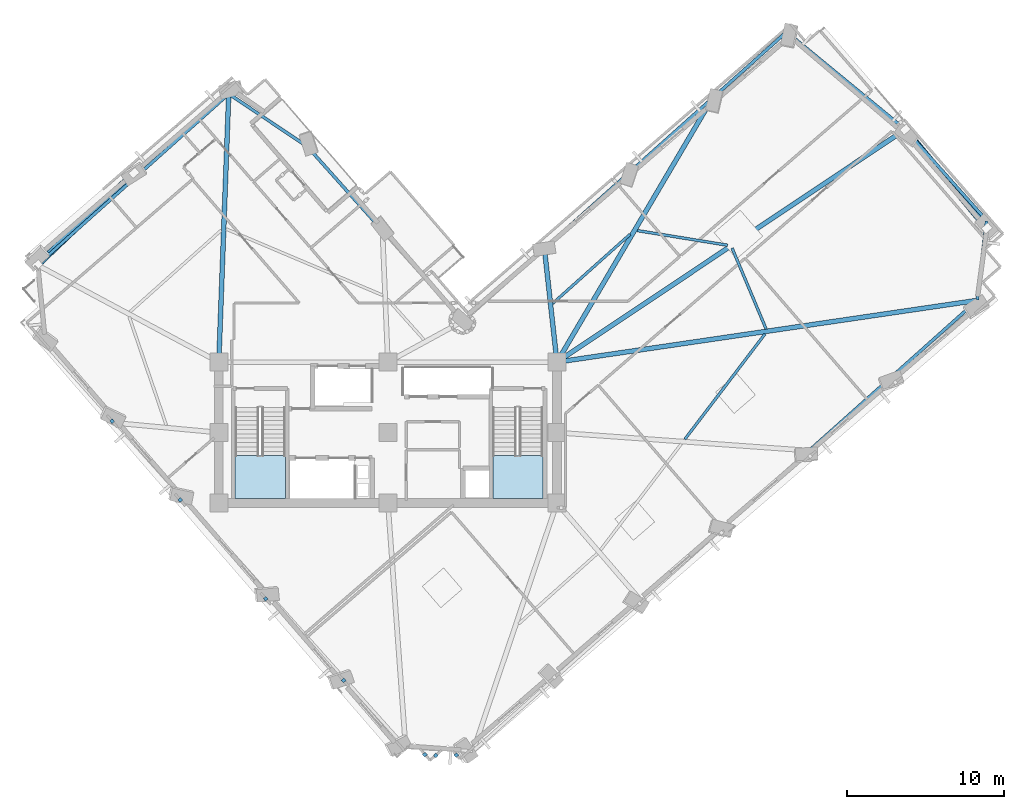
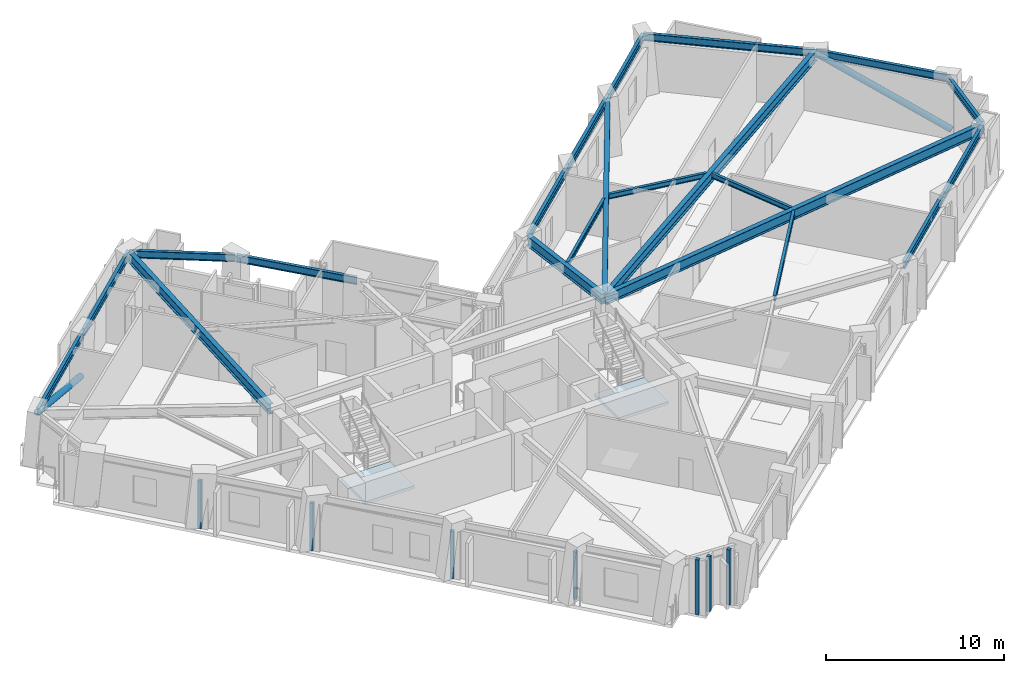
# One storey, part 2 of 14: 21 beams, 7 plates, 2 members, 2 slabs, 2 elements without a shape of their own.
"""IFC4 building model written with IfcOpenShell, lengths in metres."""

from ifc_helpers import new_model, si_unit, direction, frame, origin, origin_2d, place, context, subcontext, project, spatial, polyline, rectangle, hollow_circle, i_section, outline, extrude, material, layer, layer_set, material_profile, profile_set, type_object, element, aggregate, save


model = new_model("IFC4")

# Units and contexts
model_context = context("Model", 3, precision=1e-05, world=origin(), true_north=direction((0.0, 1.0)))
body_context = subcontext(model_context, "Body", "Model", "MODEL_VIEW")
ifc_project = project(units=[si_unit("LENGTHUNIT", "METRE"), si_unit("AREAUNIT", "SQUARE_METRE"), si_unit("VOLUMEUNIT", "CUBIC_METRE"), si_unit("PLANEANGLEUNIT", "RADIAN"), si_unit("MASSUNIT", "GRAM", prefix="KILO")], contexts=[model_context])

# Site, building, storey
site_placement = place(None, origin())
site = spatial("IfcSite", under=ifc_project, at=site_placement, CompositionType="ELEMENT")
building_placement = place(site_placement, origin())
building = spatial("IfcBuilding", under=site, at=building_placement, Name="Gaonmaruhae Medical Tower", CompositionType="ELEMENT")
storey_placement = place(building_placement, frame((0.0, 0.0, 197.800048828125)))
storey = spatial("IfcBuildingStorey", under=building, at=storey_placement, Name="L47", CompositionType="ELEMENT", Elevation=197.800048828125)

# Beams
ifc_material_1 = material(Name="Steel SM355", Category="steel")
ifc_material_profile_1 = material_profile(ifc_material_1, i_section(OverallWidth=0.175048828125, OverallDepth=0.35009765625, WebThickness=0.007080078125, FlangeThickness=0.010986328125, FilletRadius=0.012939453125, at=origin_2d()), Name="H-350x175x7x11")
ifc_profile_set_1 = profile_set([ifc_material_profile_1], Name="Steel SM355")
beam_type_1 = type_object("IfcBeamType", Name="FJ-02 Upper Zone Ward Floor Joist (H-350x175x7x11)", PredefinedType="JOIST", material=ifc_profile_set_1)
beam_1_placement = place(storey_placement, frame((43.767333984375, 11.870361328125, 3.60498046875), z_axis=(0.605815227611, 0.795605373281, 0.0), x_axis=(-0.795605373281, 0.605815227611, 0.0)))
element("IfcBeam", 1, at=beam_1_placement, inside=storey, type_object=beam_type_1, Name="L47 Secondary Floor Joist FJ03", PredefinedType="JOIST", context=body_context, shape_type="SweptSolid", body=[
    extrude(i_section(OverallWidth=0.175048828125, OverallDepth=0.35009765625, WebThickness=0.007080078125, FlangeThickness=0.010986328125, FilletRadius=0.012939453125, at=origin_2d()), origin(), (0.0, 0.0, 1.0), 8.4541015625),
])
beam_2_placement = place(storey_placement, frame((48.960205078125, 18.920166015625, 3.60498046875), z_axis=(-0.388004394222, 0.921657523196, 0.0), x_axis=(-0.921657523196, -0.388004394222, 0.0)))
element("IfcBeam", 2, at=beam_2_placement, inside=storey, type_object=beam_type_1, Name="L47 Secondary Floor Joist FJ04", PredefinedType="JOIST", context=body_context, shape_type="SweptSolid", body=[
    extrude(i_section(OverallWidth=0.175048828125, OverallDepth=0.35009765625, WebThickness=0.007080078125, FlangeThickness=0.010986328125, FilletRadius=0.012939453125, at=origin_2d()), origin(), (0.0, 0.0, 1.0), 5.60205078125),
])
beam_3_placement = place(storey_placement, frame((46.501953125, 24.265869140625, 3.60498046875), z_axis=(-0.987085853444, 0.160192128181, 0.0), x_axis=(-0.160192128181, -0.987085853444, 0.0)))
element("IfcBeam", 3, at=beam_3_placement, inside=storey, type_object=beam_type_1, Name="L47 Secondary Floor Joist FJ05", PredefinedType="JOIST", context=body_context, shape_type="SweptSolid", body=[
    extrude(i_section(OverallWidth=0.175048828125, OverallDepth=0.35009765625, WebThickness=0.007080078125, FlangeThickness=0.010986328125, FilletRadius=0.012939453125, at=origin_2d()), origin(), (0.0, 0.0, 1.0), 5.84619140625),
])
beam_4_placement = place(storey_placement, frame((40.267822265625, 24.962158203125, 3.60498046875), z_axis=(-0.745474099994, -0.66653459493, 0.0), x_axis=(0.66653459493, -0.745474099994, 0.0)))
element("IfcBeam", 4, at=beam_4_placement, inside=storey, type_object=beam_type_1, Name="L47 Secondary Floor Joist FJ06", PredefinedType="JOIST", context=body_context, shape_type="SweptSolid", body=[
    extrude(i_section(OverallWidth=0.175048828125, OverallDepth=0.35009765625, WebThickness=0.007080078125, FlangeThickness=0.010986328125, FilletRadius=0.012939453125, at=origin_2d()), origin(), (0.0, 0.0, 1.0), 6.609130859375),
])

# Members
ifc_material_2 = material(Name="Steel SM420", Category="steel")
ifc_material_profile_2 = material_profile(ifc_material_2, hollow_circle(Radius=0.203125, WallThickness=0.0126953125, at=origin_2d()), Name="CHS-406.4x12.7")
ifc_profile_set_2 = profile_set([ifc_material_profile_2], Name="Steel SM420")
member_type = type_object("IfcMemberType", Name="PB-02 Perimeter Solid-Bay Tube Brace Mid (CHS-406.4x12.7)", PredefinedType="BRACE", material=ifc_profile_set_2)
member_1_placement = place(storey_placement, frame((63.0625, 25.3564453125, 0.25), z_axis=(-0.591496893965, 0.715254112951, 0.372213619224), x_axis=(-0.770625820246, -0.637287882491, 0.0)))
element("IfcMember", 5, at=member_1_placement, inside=storey, type_object=member_type, Name="L47 Perimeter Tube Solid-Bay Brace E01-E02", PredefinedType="BRACE", context=body_context, shape_type="SweptSolid", body=[
    extrude(hollow_circle(Radius=0.203125, WallThickness=0.0126953125, at=origin_2d()), origin(), (0.0, 0.0, 1.0), 8.812255859375),
])
member_2_placement = place(storey_placement, frame((8.586181640625, 28.883544921875, 0.25), z_axis=(-0.676001791438, -0.643566957242, 0.358947279581), x_axis=(0.68951792362, -0.724268619372, 0.0)))
element("IfcMember", 6, at=member_2_placement, inside=storey, type_object=member_type, Name="L47 Perimeter Tube Solid-Bay Brace N02-N03", PredefinedType="BRACE", context=body_context, shape_type="SweptSolid", body=[
    extrude(hollow_circle(Radius=0.203125, WallThickness=0.0126953125, at=origin_2d()), origin(), (0.0, 0.0, 1.0), 9.137939453125),
])

# Beams
ifc_material_profile_3 = material_profile(ifc_material_2, i_section(OverallWidth=0.300048828125, OverallDepth=0.699951171875, WebThickness=0.012939453125, FlangeThickness=0.02392578125, FilletRadius=0.01806640625, at=origin_2d()), Name="H-700x300x13x24")
ifc_profile_set_3 = profile_set([ifc_material_profile_3], Name="Steel SM420")
beam_type_2 = type_object("IfcBeamType", Name="PG-03 Zone 3 Radial Floor Girder (H-700x300x13x24)", PredefinedType="BEAM", material=ifc_profile_set_3)
beam_5_placement = place(storey_placement, frame((35.6494140625, 16.807373046875, 3.429931640625), z_axis=(0.989379581202, 0.14535489087, 0.0), x_axis=(-0.14535489087, 0.989379581202, 0.0)))
element("IfcBeam", 7, at=beam_5_placement, inside=storey, type_object=beam_type_2, Name="L47 Radial Primary Girder S07", PredefinedType="BEAM", context=body_context, shape_type="SweptSolid", body=[
    extrude(i_section(OverallWidth=0.300048828125, OverallDepth=0.699951171875, WebThickness=0.012939453125, FlangeThickness=0.02392578125, FilletRadius=0.01806640625, at=origin_2d()), origin(), (0.0, 0.0, 1.0), 27.033447265625),
])
beam_6_placement = place(storey_placement, frame((35.6416015625, 16.827880859375, 3.429931640625), z_axis=(0.831604755714, 0.555367923339, 0.0), x_axis=(-0.555367923339, 0.831604755714, 0.0)))
element("IfcBeam", 8, at=beam_6_placement, inside=storey, type_object=beam_type_2, Name="L47 Radial Primary Girder E02", PredefinedType="BEAM", context=body_context, shape_type="SweptSolid", body=[
    extrude(i_section(OverallWidth=0.300048828125, OverallDepth=0.699951171875, WebThickness=0.012939453125, FlangeThickness=0.02392578125, FilletRadius=0.01806640625, at=origin_2d()), origin(), (0.0, 0.0, 1.0), 26.65576171875),
])
beam_7_placement = place(storey_placement, frame((35.62548828125, 16.843017578125, 3.429931640625), z_axis=(0.507633295709, 0.861573233735, 0.0), x_axis=(-0.861573233735, 0.507633295709, 0.0)))
element("IfcBeam", 9, at=beam_7_placement, inside=storey, type_object=beam_type_2, Name="L47 Radial Primary Girder EN01", PredefinedType="BEAM", context=body_context, shape_type="SweptSolid", body=[
    extrude(i_section(OverallWidth=0.300048828125, OverallDepth=0.699951171875, WebThickness=0.012939453125, FlangeThickness=0.02392578125, FilletRadius=0.01806640625, at=origin_2d()), origin(), (0.0, 0.0, 1.0), 19.467041015625),
])
beam_8_placement = place(storey_placement, frame((35.594482421875, 16.849609375, 3.429931640625), z_axis=(-0.109795492986, 0.993954199005, 0.0), x_axis=(-0.993954199005, -0.109795492986, 0.0)))
element("IfcBeam", 10, at=beam_8_placement, inside=storey, type_object=beam_type_2, Name="L47 Radial Primary Girder EN03", PredefinedType="BEAM", context=body_context, shape_type="SweptSolid", body=[
    extrude(i_section(OverallWidth=0.300048828125, OverallDepth=0.699951171875, WebThickness=0.012939453125, FlangeThickness=0.02392578125, FilletRadius=0.01806640625, at=origin_2d()), origin(), (0.0, 0.0, 1.0), 7.204345703125),
])
beam_9_placement = place(storey_placement, frame((14.001953125, 16.849853515625, 3.429931640625), z_axis=(0.037023844502, 0.999314382433, 0.0), x_axis=(-0.999314382433, 0.037023844502, 0.0)))
element("IfcBeam", 11, at=beam_9_placement, inside=storey, type_object=beam_type_2, Name="L47 Radial Primary Girder N01", PredefinedType="BEAM", context=body_context, shape_type="SweptSolid", body=[
    extrude(i_section(OverallWidth=0.300048828125, OverallDepth=0.699951171875, WebThickness=0.012939453125, FlangeThickness=0.02392578125, FilletRadius=0.01806640625, at=origin_2d()), origin(), (0.0, 0.0, 1.0), 17.0458984375),
])
ifc_material_profile_4 = material_profile(ifc_material_1, i_section(OverallWidth=0.199951171875, OverallDepth=0.5, WebThickness=0.010009765625, FlangeThickness=0.01611328125, FilletRadius=0.012939453125, at=origin_2d()), Name="H-500x200x10x16")
ifc_profile_set_4 = profile_set([ifc_material_profile_4], Name="Steel SM355")
beam_type_3 = type_object("IfcBeamType", Name="SP-02 Upper Perimeter Spandrel Beam (H-500x200x10x16)", PredefinedType="SPANDREL", material=ifc_profile_set_4)
for number, where, z_axis, x_axis, name in (
    (12, (51.740234375, 11.172607421875, 3.530029296875), (0.745487883141, 0.666519179086, 0.0), (-0.666519179086, 0.745487883141, 0.0), "L47 Perimeter Spandrel Beam S05-S06"),
    (13, (57.107666015625, 15.9716796875, 3.530029296875), (0.745487883141, 0.666519179086, 0.0), (-0.666519179086, 0.745487883141, 0.0), "L47 Perimeter Spandrel Beam S06-S07"),
):
    element("IfcBeam", number, at=place(storey_placement, frame(where, z_axis=z_axis, x_axis=x_axis)), inside=storey, type_object=beam_type_3, Name=name, PredefinedType="SPANDREL", context=body_context, shape_type="SweptSolid", body=[
        extrude(i_section(OverallWidth=0.199951171875, OverallDepth=0.5, WebThickness=0.010009765625, FlangeThickness=0.01611328125, FilletRadius=0.012939453125, at=origin_2d()), origin(), (0.0, 0.0, 1.0), 7.119873046875),
    ])
beam_10_placement = place(storey_placement, frame((62.449951171875, 20.78369140625, 3.530029296875), z_axis=(0.117572402521, 0.993064313207, 0.0), x_axis=(-0.993064313207, 0.117572402521, 0.0)))
element("IfcBeam", 14, at=beam_10_placement, inside=storey, type_object=beam_type_3, Name="L47 Perimeter Spandrel Beam S07-E01", PredefinedType="SPANDREL", context=body_context, shape_type="SweptSolid", body=[
    extrude(i_section(OverallWidth=0.199951171875, OverallDepth=0.5, WebThickness=0.010009765625, FlangeThickness=0.01611328125, FilletRadius=0.012939453125, at=origin_2d()), origin(), (0.0, 0.0, 1.0), 5.056396484375),
])
beam_11_placement = place(storey_placement, frame((63.0224609375, 25.87451171875, 3.530029296875), z_axis=(-0.666520263959, 0.745486913186, 0.0), x_axis=(-0.745486913186, -0.666520263959, 0.0)))
element("IfcBeam", 15, at=beam_11_placement, inside=storey, type_object=beam_type_3, Name="L47 Perimeter Spandrel Beam E01-E02", PredefinedType="SPANDREL", context=body_context, shape_type="SweptSolid", body=[
    extrude(i_section(OverallWidth=0.199951171875, OverallDepth=0.5, WebThickness=0.010009765625, FlangeThickness=0.01611328125, FilletRadius=0.012939453125, at=origin_2d()), origin(), (0.0, 0.0, 1.0), 7.719970703125),
])
beam_12_placement = place(storey_placement, frame((57.8193359375, 31.684814453125, 3.530029296875), z_axis=(-0.772620374802, 0.6348682985, 0.0), x_axis=(-0.6348682985, -0.772620374802, 0.0)))
element("IfcBeam", 16, at=beam_12_placement, inside=storey, type_object=beam_type_3, Name="L47 Perimeter Spandrel Beam E02-E03", PredefinedType="SPANDREL", context=body_context, shape_type="SweptSolid", body=[
    extrude(i_section(OverallWidth=0.199951171875, OverallDepth=0.5, WebThickness=0.010009765625, FlangeThickness=0.01611328125, FilletRadius=0.012939453125, at=origin_2d()), origin(), (0.0, 0.0, 1.0), 9.7353515625),
])
beam_13_placement = place(storey_placement, frame((50.23681640625, 37.864013671875, 3.530029296875), z_axis=(-0.745487716723, -0.666519365221, 0.0), x_axis=(0.666519365221, -0.745487716723, 0.0)))
element("IfcBeam", 17, at=beam_13_placement, inside=storey, type_object=beam_type_3, Name="L47 Perimeter Spandrel Beam E03-EN01", PredefinedType="SPANDREL", context=body_context, shape_type="SweptSolid", body=[
    extrude(i_section(OverallWidth=0.199951171875, OverallDepth=0.5, WebThickness=0.010009765625, FlangeThickness=0.01611328125, FilletRadius=0.012939453125, at=origin_2d()), origin(), (0.0, 0.0, 1.0), 6.269775390625),
])
for number, where, z_axis, x_axis, name in (
    (18, (45.5029296875, 33.631591796875, 3.530029296875), (-0.745472649525, -0.666536217179, 0.0), (0.666536217179, -0.745472649525, 0.0), "L47 Perimeter Spandrel Beam EN01-EN02"),
    (19, (40.135498046875, 28.83251953125, 3.530029296875), (-0.745472649525, -0.666536217179, 0.0), (0.666536217179, -0.745472649525, 0.0), "L47 Perimeter Spandrel Beam EN02-EN03"),
    (20, (24.424560546875, 25.235107421875, 3.510009765625), (-0.666519179086, 0.745487883141, 0.0), (-0.745487883141, -0.666519179086, 0.0), "L47 Perimeter Spandrel Beam NE01-NE02"),
):
    element("IfcBeam", number, at=place(storey_placement, frame(where, z_axis=z_axis, x_axis=x_axis)), inside=storey, type_object=beam_type_3, Name=name, PredefinedType="SPANDREL", context=body_context, shape_type="SweptSolid", body=[
        extrude(i_section(OverallWidth=0.199951171875, OverallDepth=0.5, WebThickness=0.010009765625, FlangeThickness=0.01611328125, FilletRadius=0.012939453125, at=origin_2d()), origin(), (0.0, 0.0, 1.0), 7.119873046875),
    ])
beam_14_placement = place(storey_placement, frame((19.619140625, 30.594970703125, 3.510009765625), z_axis=(-0.83080653962, 0.556561311738, 0.0), x_axis=(-0.556561311738, -0.83080653962, 0.0)))
element("IfcBeam", 21, at=beam_14_placement, inside=storey, type_object=beam_type_3, Name="L47 Perimeter Spandrel Beam NE02-N01", PredefinedType="SPANDREL", context=body_context, shape_type="SweptSolid", body=[
    extrude(i_section(OverallWidth=0.199951171875, OverallDepth=0.5, WebThickness=0.010009765625, FlangeThickness=0.01611328125, FilletRadius=0.012939453125, at=origin_2d()), origin(), (0.0, 0.0, 1.0), 5.959228515625),
])
for number, where, z_axis, x_axis, name in (
    (22, (14.60498046875, 33.9072265625, 3.530029296875), (-0.745481893737, -0.66652587805, 0.0), (0.66652587805, -0.745481893737, 0.0), "L47 Perimeter Spandrel Beam N01-N02"),
    (23, (8.4921875, 28.441650390625, 3.530029296875), (-0.745481893737, -0.66652587805, 0.0), (0.66652587805, -0.745481893737, 0.0), "L47 Perimeter Spandrel Beam N02-N03"),
):
    element("IfcBeam", number, at=place(storey_placement, frame(where, z_axis=z_axis, x_axis=x_axis)), inside=storey, type_object=beam_type_3, Name=name, PredefinedType="SPANDREL", context=body_context, shape_type="SweptSolid", body=[
        extrude(i_section(OverallWidth=0.199951171875, OverallDepth=0.5, WebThickness=0.010009765625, FlangeThickness=0.01611328125, FilletRadius=0.012939453125, at=origin_2d()), origin(), (0.0, 0.0, 1.0), 8.119873046875),
    ])

# Plates
ifc_material_3 = material(Name="Anodised aluminium 6063-T6", Category="aluminium")
ifc_layer_1 = layer(ifc_material_3, 0.011962890625)
ifc_layer_set_1 = layer_set([ifc_layer_1], Name="Anodised aluminium 6063-T6")
plate_type = type_object("IfcPlateType", Name="PP-01 Interior Partition Corner Stiffener Plate", PredefinedType="SHEET", material=ifc_layer_set_1)
plate_1_placement = place(storey_placement, frame((27.1640625, -8.271484375, 0.0), z_axis=(0.0, 0.0, 1.0), x_axis=(-0.654120563309, 0.756390301799, 0.0)))
element("IfcPlate", 24, at=plate_1_placement, inside=storey, type_object=plate_type, Name="L47 Partition Corner Stiffener Plate PLT-L47-JGP-PW007", PredefinedType="SHEET", context=body_context, shape_type="SweptSolid", body=[
    extrude(rectangle(XDim=0.219970703125, YDim=0.219970703125, at=origin_2d()), origin(), (0.0, 0.0, 1.0), 3.780029296875),
])
plate_2_placement = place(storey_placement, frame((21.974609375, -3.531494140625, 0.0), z_axis=(0.0, 0.0, 1.0), x_axis=(-0.653433815947, 0.756983651196, 0.0)))
element("IfcPlate", 25, at=plate_2_placement, inside=storey, type_object=plate_type, Name="L47 Partition Corner Stiffener Plate PLT-L47-JGP-PW009", PredefinedType="SHEET", context=body_context, shape_type="SweptSolid", body=[
    extrude(rectangle(XDim=0.219970703125, YDim=0.219970703125, at=origin_2d()), origin(), (0.0, 0.0, 1.0), 3.264892578125),
])
for number, where, z_axis, x_axis, name in (
    (26, (29.174560546875, -8.303955078125, 0.0), (0.0, 0.0, 1.0), (-0.655096928562, 0.755544845915, 0.0), "L47 Partition Corner Stiffener Plate PLT-L47-JGP-PW014"),
    (27, (27.860595703125, -8.322021484375, 0.0), (0.0, 0.0, 1.0), (-0.756390301799, -0.654120563309, 0.0), "L47 Partition Corner Stiffener Plate PLT-L47-JGP-PW015"),
):
    element("IfcPlate", number, at=place(storey_placement, frame(where, z_axis=z_axis, x_axis=x_axis)), inside=storey, type_object=plate_type, Name=name, PredefinedType="SHEET", context=body_context, shape_type="SweptSolid", body=[
        extrude(rectangle(XDim=0.219970703125, YDim=0.219970703125, at=origin_2d()), origin(), (0.0, 0.0, 1.0), 3.780029296875),
    ])
for number, where, z_axis, x_axis, name in (
    (28, (16.99658203125, 1.681884765625, 0.0), (0.0, 0.0, 1.0), (-0.654041350716, 0.756458796997, 0.0), "L47 Partition Corner Stiffener Plate PLT-L47-JGP-PW033"),
    (29, (11.535400390625, 7.998046875, 0.0), (0.0, 0.0, 1.0), (-0.654358158048, 0.75618476644, 0.0), "L47 Partition Corner Stiffener Plate PLT-L47-JGP-PW034"),
    (30, (7.1865234375, 13.027587890625, 0.0), (0.0, 0.0, 1.0), (-0.654384553477, 0.756161924571, 0.0), "L47 Partition Corner Stiffener Plate PLT-L47-JGP-PW040"),
):
    element("IfcPlate", number, at=place(storey_placement, frame(where, z_axis=z_axis, x_axis=x_axis)), inside=storey, type_object=plate_type, Name=name, PredefinedType="SHEET", context=body_context, shape_type="SweptSolid", body=[
        extrude(rectangle(XDim=0.219970703125, YDim=0.219970703125, at=origin_2d()), origin(), (0.0, 0.0, 1.0), 3.264892578125),
    ])

# Stair, slab
ifc_material_4 = material(Name="Concrete C40/50", Category="concrete")
stair_type = type_object("IfcStairType", Name="ST-T1 Primary Core Escape Dogleg Stair", PredefinedType="TWO_QUARTER_TURN_STAIR", material=ifc_material_4)
stair_1_placement = place(storey_placement, origin())
stair_1 = element("IfcStair", 31, at=stair_1_placement, inside=storey, type_object=stair_type, Name="L47 Protected Escape Stair ST-01", PredefinedType="TWO_QUARTER_TURN_STAIR")
ifc_layer_2 = layer(ifc_material_4, 0.199951171875)
ifc_layer_set_2 = layer_set([ifc_layer_2], Name="Concrete C40/50")
slab_type = type_object("IfcSlabType", Name="SL-200 Stair & Ramp Intermediate Concrete Landing", PredefinedType="LANDING", material=ifc_layer_set_2)
slab_1_placement = place(storey_placement, frame((0.0, 0.0, 1.800048828125)))
slab_1 = element("IfcSlab", 32, at=slab_1_placement, type_object=slab_type, Name="ST-01 landing 1", PredefinedType="LANDING", context=body_context, shape_type="SweptSolid", body=[
    extrude(outline(polyline([(15.050048828125, 10.820068359375), (15.050048828125, 8.0791015625), (18.25, 8.0791015625), (18.25, 10.820068359375), (15.050048828125, 10.820068359375)])), origin(), (0.0, 0.0, 1.0), 0.199951171875),
])
aggregate(stair_1, [slab_1])

stair_2_placement = place(storey_placement, origin())
stair_2 = element("IfcStair", 33, at=stair_2_placement, inside=storey, type_object=stair_type, Name="L47 Protected Escape Stair ST-02", PredefinedType="TWO_QUARTER_TURN_STAIR")
slab_2_placement = place(storey_placement, frame((0.0, 0.0, 1.800048828125)))
slab_2 = element("IfcSlab", 34, at=slab_2_placement, type_object=slab_type, Name="ST-02 landing 1", PredefinedType="LANDING", context=body_context, shape_type="SweptSolid", body=[
    extrude(outline(polyline([(31.5, 10.820068359375), (31.5, 8.0791015625), (34.699951171875, 8.0791015625), (34.699951171875, 10.820068359375), (31.5, 10.820068359375)])), origin(), (0.0, 0.0, 1.0), 0.199951171875),
])
aggregate(stair_2, [slab_2])

save(model, "model.ifc")
